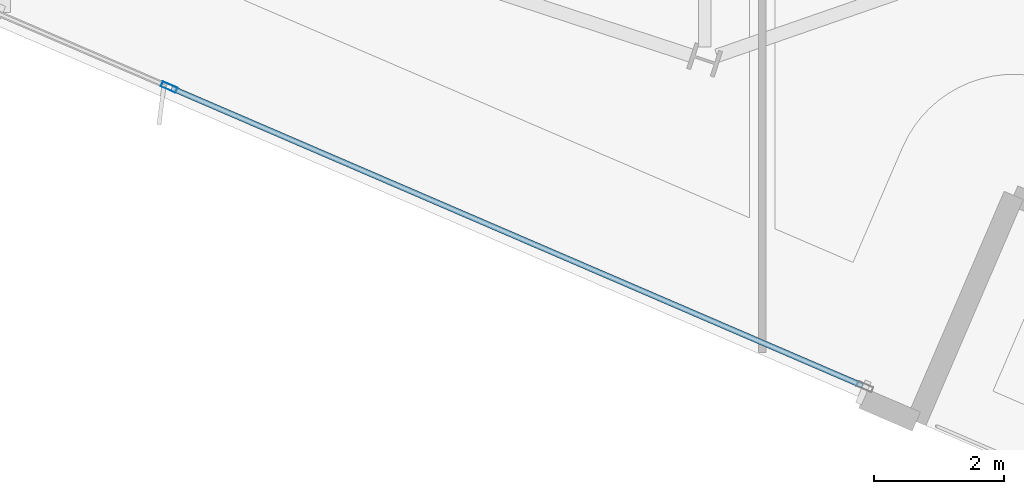
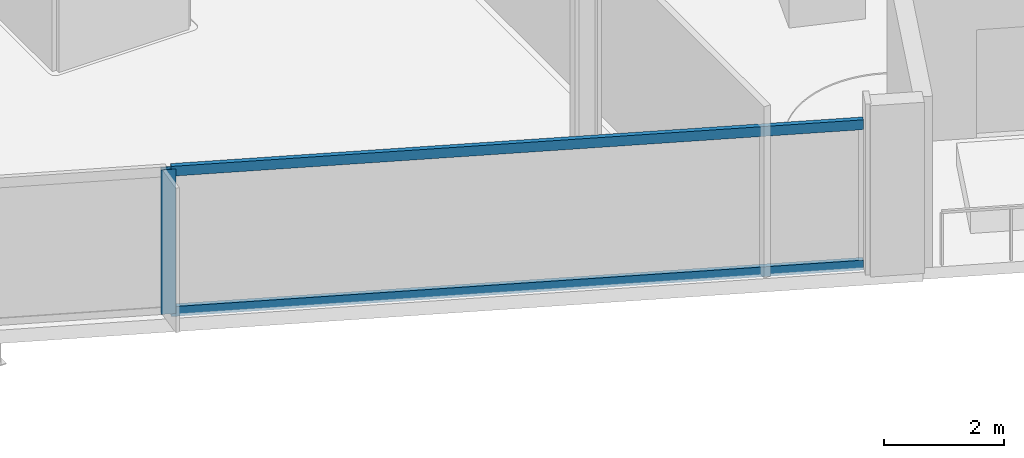
# One storey, part 3 of 28: 3 members, 1 element without a shape of its own.
"""IFC4 building model written with IfcOpenShell, lengths in metres."""

from ifc_helpers import new_model, si_unit, direction, frame, origin, origin_2d, place, context, subcontext, project, spatial, hollow_rectangle, extrude, material, material_profile, profile_set, type_object, element, aggregate, save


model = new_model("IFC4")

# Units and contexts
model_context = context("Model", 3, precision=1e-05, world=origin(), true_north=direction((0.0, 1.0)))
body_context = subcontext(model_context, "Body", "Model", "MODEL_VIEW")
ifc_project = project(units=[si_unit("LENGTHUNIT", "METRE"), si_unit("AREAUNIT", "SQUARE_METRE"), si_unit("VOLUMEUNIT", "CUBIC_METRE"), si_unit("PLANEANGLEUNIT", "RADIAN"), si_unit("MASSUNIT", "GRAM", prefix="KILO")], contexts=[model_context])

# Site, building, storey
site_placement = place(None, origin())
site = spatial("IfcSite", under=ifc_project, at=site_placement, CompositionType="ELEMENT")
building_placement = place(site_placement, origin())
building = spatial("IfcBuilding", under=site, at=building_placement, Name="Haldenkirk Collegiate Tower", CompositionType="ELEMENT")
storey_placement = place(building_placement, frame((0.0, 0.0, 252.449951171875)))
storey = spatial("IfcBuildingStorey", under=building, at=storey_placement, Name="L63", CompositionType="ELEMENT", Elevation=252.449951171875)

# Curtain wall, members
ifc_material = material(Name="Anodised architectural bronze aluminium", Category="aluminium")
curtain_wall_type = type_object("IfcCurtainWallType", Name="CW-SYS1B-CONVEX-HI", PredefinedType="USERDEFINED", material=ifc_material)
curtain_wall_placement = place(storey_placement, origin())
curtain_wall = element("IfcCurtainWall", 1, at=curtain_wall_placement, inside=storey, type_object=curtain_wall_type, Name="L63 Upper tower high-wind convex bronze unitised curtain wall", ObjectType="UNITISED CURTAIN WALL", PredefinedType="USERDEFINED")
ifc_material_profile_1 = material_profile(ifc_material, hollow_rectangle(XDim=0.0849609375, YDim=0.25, WallThickness=0.0048828125, at=origin_2d()), Name="CW-MUL-1B")
ifc_profile_set_1 = profile_set([ifc_material_profile_1], Name="Anodised architectural bronze aluminium")
member_type_1 = type_object("IfcMemberType", Name="CW-MUL-1B", PredefinedType="MULLION", material=ifc_profile_set_1)
member_1_placement = place(storey_placement, frame((32.8466796875, 2.076171875, 0.0), z_axis=(0.0, 0.0, 1.0), x_axis=(-0.395545592347, -0.918446342676, 0.0)))
member_1 = element("IfcMember", 2, at=member_1_placement, type_object=member_type_1, Name="CW-1B mullion 2", PredefinedType="MULLION", context=body_context, shape_type="SweptSolid", body=[
    extrude(hollow_rectangle(XDim=0.0849609375, YDim=0.25, WallThickness=0.0048828125, at=origin_2d()), origin(), (0.0, 0.0, 1.0), 2.93798828125),
])
ifc_material_profile_2 = material_profile(ifc_material, hollow_rectangle(XDim=0.0849609375, YDim=0.199951171875, WallThickness=0.0048828125, at=origin_2d()), Name="CW-TRN-1B")
ifc_profile_set_2 = profile_set([ifc_material_profile_2], Name="Anodised architectural bronze aluminium")
member_type_2 = type_object("IfcMemberType", Name="CW-TRN-1B", PredefinedType="USERDEFINED", material=ifc_profile_set_2)
member_2_placement = place(storey_placement, frame((43.544921875, -2.53125, 0.04248046875), z_axis=(-0.918441775271, 0.395556197572, 0.0), x_axis=(-0.395556197572, -0.918441775271, 0.0)))
member_2 = element("IfcMember", 3, at=member_2_placement, type_object=member_type_2, Name="CW-1B transom 1.1", ObjectType="TRANSOM", PredefinedType="USERDEFINED", context=body_context, shape_type="SweptSolid", body=[
    extrude(hollow_rectangle(XDim=0.0849609375, YDim=0.199951171875, WallThickness=0.0048828125, at=origin_2d()), origin(), (0.0, 0.0, 1.0), 11.60595703125),
])
member_3_placement = place(storey_placement, frame((43.544921875, -2.53125, 2.8955078125), z_axis=(-0.918441775271, 0.395556197572, 0.0), x_axis=(-0.395556197572, -0.918441775271, 0.0)))
member_3 = element("IfcMember", 4, at=member_3_placement, type_object=member_type_2, Name="CW-1B transom 1.2", ObjectType="TRANSOM", PredefinedType="USERDEFINED", context=body_context, shape_type="SweptSolid", body=[
    extrude(hollow_rectangle(XDim=0.0849609375, YDim=0.199951171875, WallThickness=0.0048828125, at=origin_2d()), origin(), (0.0, 0.0, 1.0), 11.60595703125),
])
aggregate(curtain_wall, [member_1, member_2, member_3])

save(model, "model.ifc")
